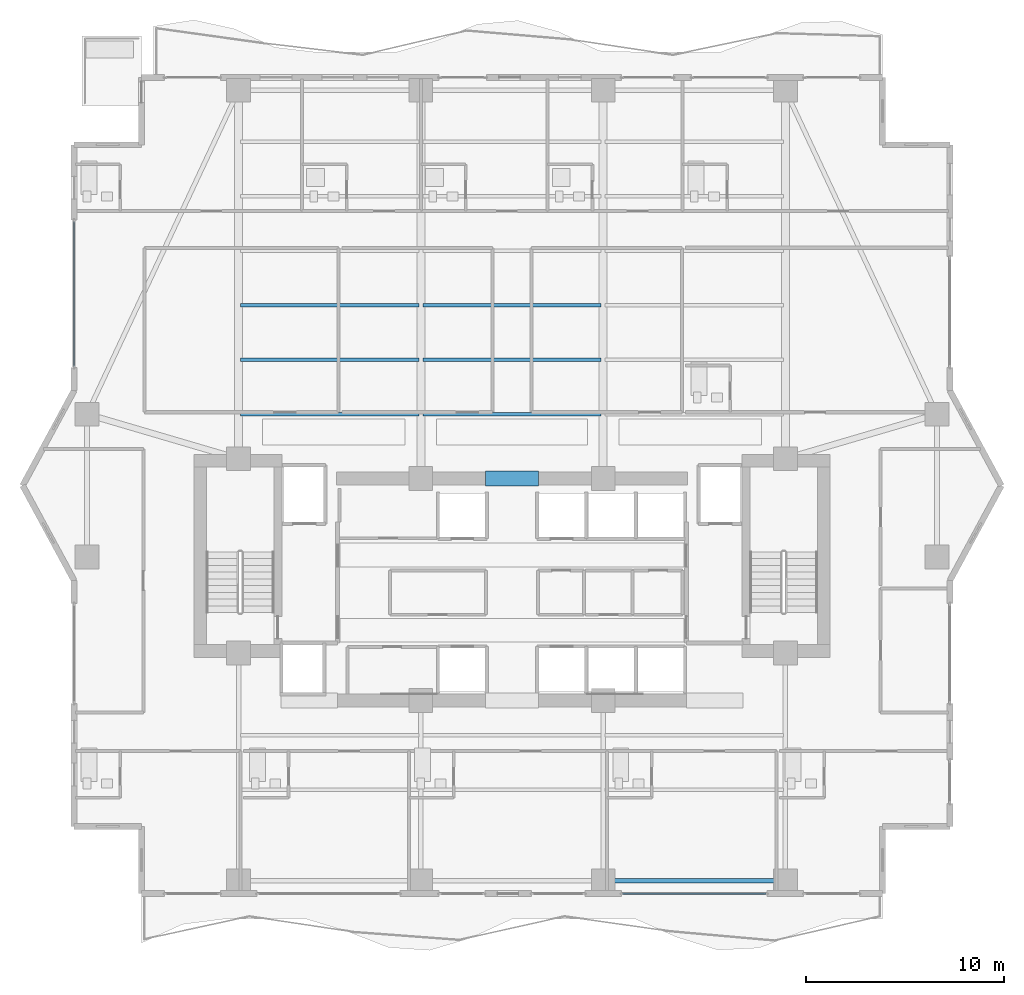
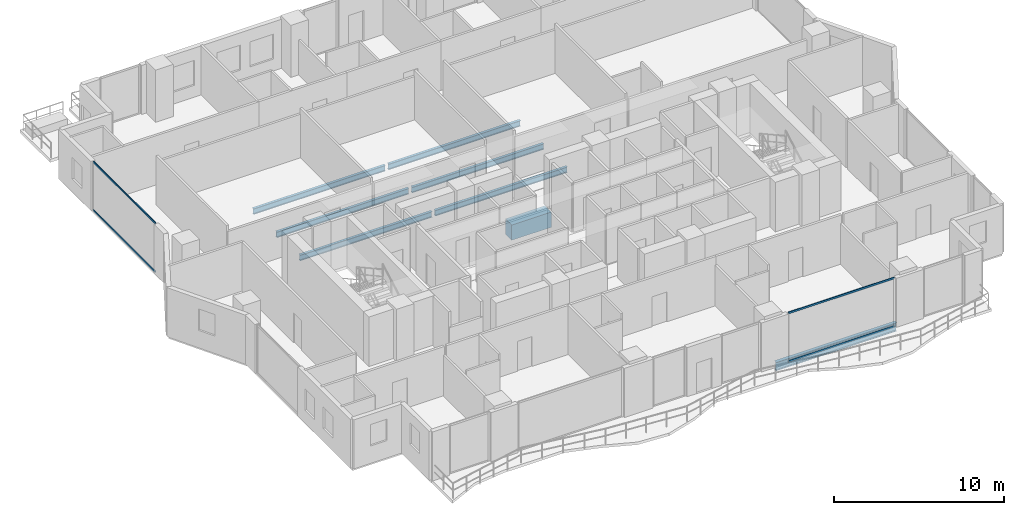
# One storey, part 8 of 32: 8 beams, 4 members, 2 elements without a shape of their own.
"""IFC4 building model written with IfcOpenShell, lengths in metres."""

from ifc_helpers import new_model, si_unit, direction, frame, origin, origin_2d, place, context, subcontext, project, spatial, rectangle, hollow_rectangle, i_section, extrude, material, layer, layer_set, material_profile, profile_set, type_object, element, aggregate, save


model = new_model("IFC4")

# Units and contexts
model_context = context("Model", 3, precision=1e-05, world=origin(), true_north=direction((0.0, 1.0)))
body_context = subcontext(model_context, "Body", "Model", "MODEL_VIEW")
ifc_project = project(units=[si_unit("LENGTHUNIT", "METRE"), si_unit("AREAUNIT", "SQUARE_METRE"), si_unit("VOLUMEUNIT", "CUBIC_METRE"), si_unit("PLANEANGLEUNIT", "RADIAN"), si_unit("MASSUNIT", "GRAM", prefix="KILO")], contexts=[model_context])

# Site, building, storey
site_placement = place(None, origin())
site = spatial("IfcSite", under=ifc_project, at=site_placement, CompositionType="ELEMENT")
building_placement = place(site_placement, origin())
building = spatial("IfcBuilding", under=site, at=building_placement, Name="Zuhayl Quay Hotel", CompositionType="ELEMENT")
storey_placement = place(building_placement, frame((0.0, 0.0, 177.39990234375)))
storey = spatial("IfcBuildingStorey", under=building, at=storey_placement, Name="L44", CompositionType="ELEMENT", Elevation=177.39990234375)

# Beams
ifc_material_1 = material(Name="Steel ASTM A992 Grade 50", Category="steel")
ifc_material_profile_1 = material_profile(ifc_material_1, i_section(OverallWidth=0.22802734375, OverallDepth=0.60693359375, WebThickness=0.01123046875, FlangeThickness=0.017333984375, at=origin_2d()), Name="W24X76")
ifc_profile_set_1 = profile_set([ifc_material_profile_1], Name="Steel ASTM A992 Grade 50")
beam_type_1 = type_object("IfcBeamType", Name="BM_B3_W24X76", PredefinedType="BEAM", material=ifc_profile_set_1)
beam_1_placement = place(storey_placement, frame((5.10009765625, -6.949951171875, -0.5234375), z_axis=(1.0, 0.0, 0.0), x_axis=(0.0, 1.0, 0.0)))
element("IfcBeam", 1, at=beam_1_placement, inside=storey, type_object=beam_type_1, Name="L44 Floor Beam RG_L44_03", PredefinedType="BEAM", context=body_context, shape_type="SweptSolid", body=[
    extrude(i_section(OverallWidth=0.22802734375, OverallDepth=0.60693359375, WebThickness=0.01123046875, FlangeThickness=0.017333984375, at=origin_2d()), origin(), (0.0, 0.0, 1.0), 8.199951171875),
])
ifc_material_2 = material(Name="Concrete C60/75", Category="concrete")
ifc_material_profile_2 = material_profile(ifc_material_2, rectangle(XDim=0.75, YDim=1.10009765625, at=origin_2d()), Name="RC750X1100")
ifc_profile_set_2 = profile_set([ifc_material_profile_2], Name="Concrete C60/75")
beam_type_2 = type_object("IfcBeamType", Name="BM_CB2_RC750", PredefinedType="T_BEAM", material=ifc_profile_set_2)
beam_2_placement = place(storey_placement, frame((-1.35009765625, 13.35009765625, -0.77001953125), z_axis=(1.0, 0.0, 0.0), x_axis=(0.0, 1.0, 0.0)))
element("IfcBeam", 2, at=beam_2_placement, inside=storey, type_object=beam_type_2, Name="L44 Core Coupling Beam North", PredefinedType="T_BEAM", context=body_context, shape_type="SweptSolid", body=[
    extrude(rectangle(XDim=0.75, YDim=1.10009765625, at=origin_2d()), origin(), (0.0, 0.0, 1.0), 2.7001953125),
])
ifc_material_profile_3 = material_profile(ifc_material_1, i_section(OverallWidth=0.177978515625, OverallDepth=0.406005859375, WebThickness=0.0078125, FlangeThickness=0.0126953125, at=origin_2d()), Name="W16X40")
ifc_profile_set_3 = profile_set([ifc_material_profile_3], Name="Steel ASTM A992 Grade 50")
beam_type_3 = type_object("IfcBeamType", Name="BM_J2B_W16X40", PredefinedType="JOIST", material=ifc_profile_set_3)
beam_3_placement = place(storey_placement, frame((-13.694091796875, 16.60009765625, -0.4228515625), z_axis=(1.0, 0.0, 0.0), x_axis=(0.0, 1.0, 0.0)))
element("IfcBeam", 3, at=beam_3_placement, inside=storey, type_object=beam_type_3, Name="L44 Floor Beam FJ_L44_1_1", PredefinedType="JOIST", context=body_context, shape_type="SweptSolid", body=[
    extrude(i_section(OverallWidth=0.177978515625, OverallDepth=0.406005859375, WebThickness=0.0078125, FlangeThickness=0.0126953125, at=origin_2d()), origin(), (0.0, 0.0, 1.0), 8.988037109375),
])
beam_4_placement = place(storey_placement, frame((-4.493896484375, 16.60009765625, -0.4228515625), z_axis=(1.0, 0.0, 0.0), x_axis=(0.0, 1.0, 0.0)))
element("IfcBeam", 4, at=beam_4_placement, inside=storey, type_object=beam_type_3, Name="L44 Floor Beam FJ_L44_1_2", PredefinedType="JOIST", context=body_context, shape_type="SweptSolid", body=[
    extrude(i_section(OverallWidth=0.177978515625, OverallDepth=0.406005859375, WebThickness=0.0078125, FlangeThickness=0.0126953125, at=origin_2d()), origin(), (0.0, 0.0, 1.0), 8.98779296875),
])
beam_5_placement = place(storey_placement, frame((-13.694091796875, 19.35009765625, -0.4228515625), z_axis=(1.0, 0.0, 0.0), x_axis=(0.0, 1.0, 0.0)))
element("IfcBeam", 5, at=beam_5_placement, inside=storey, type_object=beam_type_3, Name="L44 Floor Beam FJ_L44_2_1", PredefinedType="JOIST", context=body_context, shape_type="SweptSolid", body=[
    extrude(i_section(OverallWidth=0.177978515625, OverallDepth=0.406005859375, WebThickness=0.0078125, FlangeThickness=0.0126953125, at=origin_2d()), origin(), (0.0, 0.0, 1.0), 8.988037109375),
])
beam_6_placement = place(storey_placement, frame((-4.493896484375, 19.35009765625, -0.4228515625), z_axis=(1.0, 0.0, 0.0), x_axis=(0.0, 1.0, 0.0)))
element("IfcBeam", 6, at=beam_6_placement, inside=storey, type_object=beam_type_3, Name="L44 Floor Beam FJ_L44_2_2", PredefinedType="JOIST", context=body_context, shape_type="SweptSolid", body=[
    extrude(i_section(OverallWidth=0.177978515625, OverallDepth=0.406005859375, WebThickness=0.0078125, FlangeThickness=0.0126953125, at=origin_2d()), origin(), (0.0, 0.0, 1.0), 8.98779296875),
])
beam_7_placement = place(storey_placement, frame((-13.694091796875, 22.10009765625, -0.4228515625), z_axis=(1.0, 0.0, 0.0), x_axis=(0.0, 1.0, 0.0)))
element("IfcBeam", 7, at=beam_7_placement, inside=storey, type_object=beam_type_3, Name="L44 Floor Beam FJ_L44_3_1", PredefinedType="JOIST", context=body_context, shape_type="SweptSolid", body=[
    extrude(i_section(OverallWidth=0.177978515625, OverallDepth=0.406005859375, WebThickness=0.0078125, FlangeThickness=0.0126953125, at=origin_2d()), origin(), (0.0, 0.0, 1.0), 8.988037109375),
])
beam_8_placement = place(storey_placement, frame((-4.493896484375, 22.10009765625, -0.4228515625), z_axis=(1.0, 0.0, 0.0), x_axis=(0.0, 1.0, 0.0)))
element("IfcBeam", 8, at=beam_8_placement, inside=storey, type_object=beam_type_3, Name="L44 Floor Beam FJ_L44_3_2", PredefinedType="JOIST", context=body_context, shape_type="SweptSolid", body=[
    extrude(i_section(OverallWidth=0.177978515625, OverallDepth=0.406005859375, WebThickness=0.0078125, FlangeThickness=0.0126953125, at=origin_2d()), origin(), (0.0, 0.0, 1.0), 8.98779296875),
])

# Curtain wall, members
ifc_material_3 = material(Name="Anodised Aluminium 6063-T6", Category="aluminium")
ifc_layer = layer(ifc_material_3, 0.175048828125, Name="Anodised Aluminium 6063-T6", Category="aluminium")
ifc_layer_set = layer_set([ifc_layer], Name="Anodised Aluminium 6063-T6")
curtain_wall_type = type_object("IfcCurtainWallType", Name="CW_SYS_Z3", PredefinedType="USERDEFINED", material=ifc_layer_set)
curtain_wall_1_placement = place(storey_placement, origin())
curtain_wall_1 = element("IfcCurtainWall", 9, at=curtain_wall_1_placement, inside=storey, type_object=curtain_wall_type, Name="L44 Curtain Wall ENV_L44_E05_CW1", ObjectType="UNITISED CURTAIN WALL", PredefinedType="USERDEFINED")
ifc_material_4 = material(Name="Black-anodised aluminium 6063-T6", Category="aluminium")
ifc_material_profile_4 = material_profile(ifc_material_4, hollow_rectangle(XDim=0.054931640625, YDim=0.1298828125, WallThickness=0.0029296875, at=origin_2d()), Name="ALU130X55")
ifc_profile_set_4 = profile_set([ifc_material_profile_4], Name="Black-anodised aluminium 6063-T6")
member_type = type_object("IfcMemberType", Name="MB_CW_TRN_130", PredefinedType="USERDEFINED", material=ifc_profile_set_4)
member_1_placement = place(storey_placement, frame((-22.10009765625, 19.014892578125, 0.027587890625), z_axis=(0.0, 1.0, 0.0), x_axis=(-1.0, 0.0, 0.0)))
member_1 = element("IfcMember", 10, at=member_1_placement, type_object=member_type, Name="CW-Z3 transom 1.1", ObjectType="TRANSOM", PredefinedType="USERDEFINED", context=body_context, shape_type="SweptSolid", body=[
    extrude(hollow_rectangle(XDim=0.054931640625, YDim=0.1298828125, WallThickness=0.0029296875, at=origin_2d()), origin(), (0.0, 0.0, 1.0), 7.320068359375),
])
member_2_placement = place(storey_placement, frame((-22.10009765625, 19.014892578125, 3.502685546875), z_axis=(0.0, 1.0, 0.0), x_axis=(-1.0, 0.0, 0.0)))
member_2 = element("IfcMember", 11, at=member_2_placement, type_object=member_type, Name="CW-Z3 transom 1.2", ObjectType="TRANSOM", PredefinedType="USERDEFINED", context=body_context, shape_type="SweptSolid", body=[
    extrude(hollow_rectangle(XDim=0.054931640625, YDim=0.1298828125, WallThickness=0.0029296875, at=origin_2d()), origin(), (0.0, 0.0, 1.0), 7.320068359375),
])
aggregate(curtain_wall_1, [member_1, member_2])

curtain_wall_2_placement = place(storey_placement, origin())
curtain_wall_2 = element("IfcCurtainWall", 12, at=curtain_wall_2_placement, inside=storey, type_object=curtain_wall_type, Name="L44 Curtain Wall ENV_L44_S_CW2", ObjectType="UNITISED CURTAIN WALL", PredefinedType="USERDEFINED")
member_3_placement = place(storey_placement, frame((12.81494140625, -7.60009765625, 0.027587890625), z_axis=(-1.0, 0.0, 0.0), x_axis=(0.0, -1.0, 0.0)))
member_3 = element("IfcMember", 13, at=member_3_placement, type_object=member_type, Name="CW-Z3 transom 1.1", ObjectType="TRANSOM", PredefinedType="USERDEFINED", context=body_context, shape_type="SweptSolid", body=[
    extrude(hollow_rectangle(XDim=0.054931640625, YDim=0.1298828125, WallThickness=0.0029296875, at=origin_2d()), origin(), (0.0, 0.0, 1.0), 7.22998046875),
])
member_4_placement = place(storey_placement, frame((12.81494140625, -7.60009765625, 3.502685546875), z_axis=(-1.0, 0.0, 0.0), x_axis=(0.0, -1.0, 0.0)))
member_4 = element("IfcMember", 14, at=member_4_placement, type_object=member_type, Name="CW-Z3 transom 1.2", ObjectType="TRANSOM", PredefinedType="USERDEFINED", context=body_context, shape_type="SweptSolid", body=[
    extrude(hollow_rectangle(XDim=0.054931640625, YDim=0.1298828125, WallThickness=0.0029296875, at=origin_2d()), origin(), (0.0, 0.0, 1.0), 7.22998046875),
])
aggregate(curtain_wall_2, [member_3, member_4])

save(model, "model.ifc")
